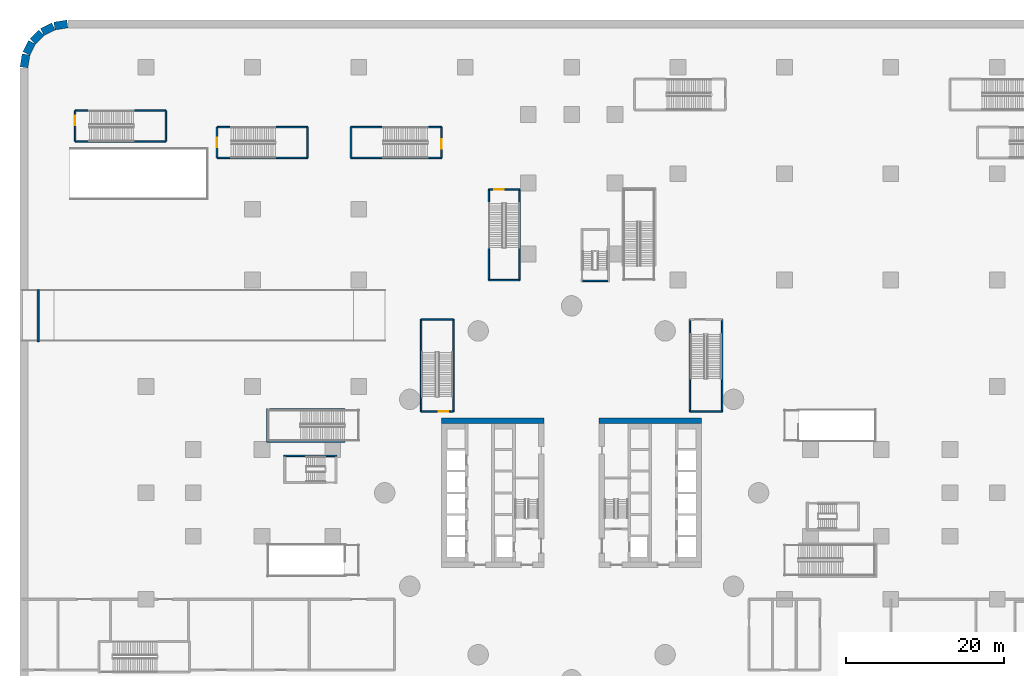
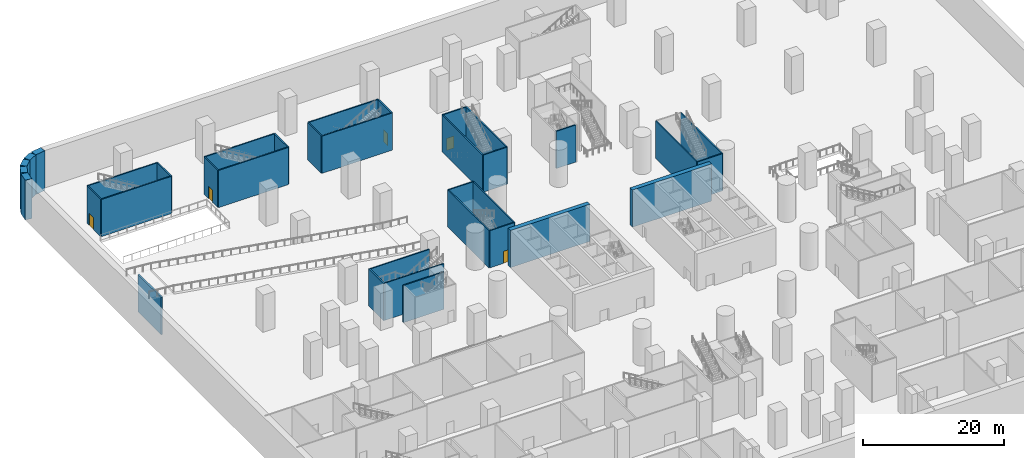
# One storey, part 10 of 37: 36 walls, 5 doors, 5 openings.
"""IFC4 building model written with IfcOpenShell, lengths in metres."""

from ifc_helpers import new_model, si_unit, direction, frame, frame_2d, origin, place, context, subcontext, project, spatial, rectangle, extrude, material, layer, layer_set, type_object, element, fill, save


model = new_model("IFC4")

# Units and contexts
model_context = context("Model", 3, precision=1e-05, world=origin(), true_north=direction((0.0, 1.0)))
body_context = subcontext(model_context, "Body", "Model", "MODEL_VIEW")
ifc_project = project(units=[si_unit("LENGTHUNIT", "METRE"), si_unit("AREAUNIT", "SQUARE_METRE"), si_unit("VOLUMEUNIT", "CUBIC_METRE"), si_unit("PLANEANGLEUNIT", "RADIAN"), si_unit("MASSUNIT", "GRAM", prefix="KILO")], contexts=[model_context])

# Site, building, storey
site_placement = place(None, origin())
site = spatial("IfcSite", under=ifc_project, at=site_placement, CompositionType="ELEMENT")
building_placement = place(site_placement, origin())
building = spatial("IfcBuilding", under=site, at=building_placement, Name="Tamarind Cross Interchange Tower", CompositionType="ELEMENT")
storey_placement = place(building_placement, frame((0.0, 0.0, -7.0)))
storey = spatial("IfcBuildingStorey", under=building, at=storey_placement, Name="B1", CompositionType="ELEMENT", Elevation=-7.0)

# Walls
ifc_material_1 = material(Name="Concrete C40", Category="concrete")
ifc_layer_1 = layer(ifc_material_1, 1.0)
ifc_layer_set_1 = layer_set([ifc_layer_1], Name="Concrete C40")
wall_type_1 = type_object("IfcWallType", Name="Basement wall 1000 Concrete C40", PredefinedType="SOLIDWALL", material=ifc_layer_set_1)
wall_1_placement = place(storey_placement, frame((-69.495361328125, 53.989501953125, -0.449951171875), z_axis=(0.0, 0.0, 1.0), x_axis=(0.156430639922, 0.987688946427, 0.0)))
element("IfcWall", 1, at=wall_1_placement, inside=storey, type_object=wall_type_1, Name="Basement wall B1-8", PredefinedType="SOLIDWALL", context=body_context, shape_type="SweptSolid", body=[
    extrude(rectangle(XDim=1.66064453125, YDim=1.0, at=frame_2d((0.830322265625, 0.0))), origin(), (0.0, 0.0, 1.0), 6.89990234375),
])
for number, where, z_axis, x_axis, name in (
    (2, (-69.193603515625, 55.759033203125, -0.449951171875), (0.0, 0.0, 1.0), (0.453995177443, 0.891004140764, 0.0), "Basement wall B1-9"),
    (3, (-68.395751953125, 57.27783203125, -0.449951171875), (0.0, 0.0, 1.0), (0.707106781187, 0.707106781187, 0.0), "Basement wall B1-10"),
    (4, (-67.167724609375, 58.475830078125, -0.449951171875), (0.0, 0.0, 1.0), (0.891004140764, 0.453995177443, 0.0), "Basement wall B1-11"),
):
    element("IfcWall", number, at=place(storey_placement, frame(where, z_axis=z_axis, x_axis=x_axis)), inside=storey, type_object=wall_type_1, Name=name, PredefinedType="SOLIDWALL", context=body_context, shape_type="SweptSolid", body=[
        extrude(rectangle(XDim=1.5810546875, YDim=1.0, at=frame_2d((0.79052734375, 0.0))), origin(), (0.0, 0.0, 1.0), 6.89990234375),
    ])
wall_2_placement = place(storey_placement, frame((-65.629638671875, 59.235595703125, -0.449951171875), z_axis=(0.0, 0.0, 1.0), x_axis=(0.987688946427, 0.156430639922, 0.0)))
element("IfcWall", 5, at=wall_2_placement, inside=storey, type_object=wall_type_1, Name="Basement wall B1-12", PredefinedType="SOLIDWALL", context=body_context, shape_type="SweptSolid", body=[
    extrude(rectangle(XDim=1.66064453125, YDim=1.0, at=frame_2d((0.830322265625, 0.0))), origin(), (0.0, 0.0, 1.0), 6.89990234375),
])
ifc_material_2 = material(Name="Concrete C80", Category="concrete")
ifc_layer_2 = layer(ifc_material_2, 0.699951171875)
ifc_layer_set_2 = layer_set([ifc_layer_2], Name="Concrete C80")
wall_type_2 = type_object("IfcWallType", Name="Core wall 700 mm Concrete C80", PredefinedType="SHEAR", material=ifc_layer_set_2)
for number, where, z_axis, x_axis, name in (
    (6, (-16.5, 9.14990234375, 0.0), (0.0, 0.0, 1.0), (1.0, 0.0, 0.0), "Core wall CWL-B1-W-NE"),
    (7, (16.5, 9.14990234375, 0.0), (0.0, 0.0, 1.0), (-1.0, 0.0, 0.0), "Core wall CWL-B1-E-NE"),
):
    element("IfcWall", number, at=place(storey_placement, frame(where, z_axis=z_axis, x_axis=x_axis)), inside=storey, type_object=wall_type_2, Name=name, PredefinedType="SHEAR", context=body_context, shape_type="SweptSolid", body=[
        extrude(rectangle(XDim=13.0, YDim=0.699951171875, at=frame_2d((6.5, 0.0))), origin(), (0.0, 0.0, 1.0), 6.449951171875),
    ])
ifc_layer_3 = layer(ifc_material_1, 0.25)
ifc_layer_set_3 = layer_set([ifc_layer_3], Name="Concrete C40")
wall_type_3 = type_object("IfcWallType", Name="Ramp support wall 250", PredefinedType="SOLIDWALL", material=ifc_layer_set_3)
wall_3_placement = place(storey_placement, frame((-67.699951171875, 19.199951171875, 0.0), z_axis=(0.0, 0.0, 1.0), x_axis=(0.0, 1.0, 0.0)))
element("IfcWall", 8, at=wall_3_placement, inside=storey, type_object=wall_type_3, Name="Car park ramp RA support wall", PredefinedType="SOLIDWALL", context=body_context, shape_type="SweptSolid", body=[
    extrude(rectangle(XDim=6.60009765625, YDim=0.25, at=frame_2d((3.300048828125, 0.0))), origin(), (0.0, 0.0, 1.0), 6.4833984375),
])
ifc_layer_4 = layer(ifc_material_1, 0.199951171875)
ifc_layer_set_4 = layer_set([ifc_layer_4], Name="Concrete C40")
wall_type_4 = type_object("IfcWallType", Name="Stair shaft wall 200", PredefinedType="SOLIDWALL", material=ifc_layer_set_4)
for number, where, z_axis, x_axis, name in (
    (9, (-28.800048828125, 10.60009765625, 0.0), (0.0, 0.0, 1.0), (-1.0, 0.0, 0.0), "public stair PS-W shaft wall L"),
    (10, (-28.800048828125, 6.5, 0.0), (0.0, 0.0, 1.0), (-1.0, 0.0, 0.0), "public stair PS-W shaft wall R"),
):
    element("IfcWall", number, at=place(storey_placement, frame(where, z_axis=z_axis, x_axis=x_axis)), inside=storey, type_object=wall_type_4, Name=name, PredefinedType="SOLIDWALL", context=body_context, shape_type="SweptSolid", body=[
        extrude(rectangle(XDim=9.699951171875, YDim=0.199951171875, at=frame_2d((4.85009765625, 0.0))), origin(), (0.0, 0.0, 1.0), 6.449951171875),
    ])
wall_4_placement = place(storey_placement, frame((-38.60009765625, 10.699951171875, 0.0), z_axis=(0.0, 0.0, 1.0), x_axis=(0.0, -1.0, 0.0)))
element("IfcWall", 11, at=wall_4_placement, inside=storey, type_object=wall_type_4, Name="public stair PS-W shaft wall F", PredefinedType="SOLIDWALL", context=body_context, shape_type="SweptSolid", body=[
    extrude(rectangle(XDim=4.300048828125, YDim=0.199951171875, at=frame_2d((2.14990234375, 0.0))), origin(), (0.0, 0.0, 1.0), 6.449951171875),
])
ifc_layer_5 = layer(ifc_material_1, 0.199951171875)
ifc_layer_set_5 = layer_set([ifc_layer_5], Name="Concrete C40")
wall_type_5 = type_object("IfcWallType", Name="Stair shaft wall 200 EI 180", PredefinedType="PARTITIONING", material=ifc_layer_set_5)
wall_5_placement = place(storey_placement, frame((-63.0, 48.5, 0.0), z_axis=(0.0, 0.0, 1.0), x_axis=(1.0, 0.0, 0.0)))
element("IfcWall", 12, at=wall_5_placement, inside=storey, type_object=wall_type_5, Name="B1 stair shaft wall 1", PredefinedType="PARTITIONING", context=body_context, shape_type="SweptSolid", body=[
    extrude(rectangle(XDim=11.5, YDim=0.199951171875, at=frame_2d((5.75, 0.0))), origin(), (0.0, 0.0, 1.0), 6.449951171875),
])
wall_6_placement = place(storey_placement, frame((-51.5, 44.60009765625, 0.0), z_axis=(0.0, 0.0, 1.0), x_axis=(0.0, 1.0, 0.0)))
element("IfcWall", 13, at=wall_6_placement, inside=storey, type_object=wall_type_5, Name="B1 stair shaft wall 2", PredefinedType="PARTITIONING", context=body_context, shape_type="SweptSolid", body=[
    extrude(rectangle(XDim=3.89990234375, YDim=0.199951171875, at=frame_2d((1.949951171875, 0.0))), origin(), (0.0, 0.0, 1.0), 6.449951171875),
])
wall_7_placement = place(storey_placement, frame((-63.0, 44.60009765625, 0.0), z_axis=(0.0, 0.0, 1.0), x_axis=(1.0, 0.0, 0.0)))
element("IfcWall", 14, at=wall_7_placement, inside=storey, type_object=wall_type_5, Name="B1 stair shaft wall 3", PredefinedType="PARTITIONING", context=body_context, shape_type="SweptSolid", body=[
    extrude(rectangle(XDim=11.5, YDim=0.199951171875, at=frame_2d((5.75, 0.0))), origin(), (0.0, 0.0, 1.0), 6.449951171875),
])

# Wall, opening, door
wall_8_placement = place(storey_placement, frame((-63.0, 44.60009765625, 0.0), z_axis=(0.0, 0.0, 1.0), x_axis=(0.0, 1.0, 0.0)))
wall_8 = element("IfcWall", 15, at=wall_8_placement, inside=storey, type_object=wall_type_5, Name="B1 stair shaft wall 4", PredefinedType="PARTITIONING", context=body_context, shape_type="SweptSolid", body=[
    extrude(rectangle(XDim=3.89990234375, YDim=0.199951171875, at=frame_2d((1.949951171875, 0.0))), origin(), (0.0, 0.0, 1.0), 6.449951171875),
])
opening_1_placement = place(wall_8_placement, frame((2.0400390625, 0.0, 0.0)))
opening_1 = element("IfcOpeningElement", 16, at=opening_1_placement, cuts=wall_8, Name="Opening DB1-07", PredefinedType="OPENING", context=body_context, shape_type="SweptSolid", body=[
    extrude(rectangle(XDim=1.199951171875, YDim=2.10009765625, at=frame_2d((0.60009765625, 1.050048828125))), frame((0.0, 0.10986328125, 0.0), z_axis=(0.0, -1.0, 0.0), x_axis=(1.0, 0.0, 0.0)), (0.0, 0.0, 1.0), 0.219970703125),
])
ifc_material_3 = material(Name="Steel, fire-resisting", Category="steel")
door_type = type_object("IfcDoorType", Name="Podium door 1200 x 2100 FD90", OperationType="SINGLE_SWING_LEFT", PredefinedType="DOOR", material=ifc_material_3)
door_1_placement = place(opening_1_placement, origin())
door_1 = element("IfcDoor", 17, at=door_1_placement, inside=storey, type_object=door_type, Name="B1 door Exit Stair PX5", OperationType="SINGLE_SWING_LEFT", OverallHeight=2.10009765625, OverallWidth=1.199951171875, PredefinedType="DOOR", context=body_context, shape_type="SweptSolid", body=[
    extrude(rectangle(XDim=1.199951171875, YDim=2.10009765625, at=frame_2d((0.60009765625, 1.050048828125))), frame((0.0, 0.02490234375, 0.0), z_axis=(0.0, -1.0, 0.0), x_axis=(1.0, 0.0, 0.0)), (0.0, 0.0, 1.0), 0.050048828125),
])
fill(opening_1, door_1)

# Walls
wall_9_placement = place(storey_placement, frame((-45.0, 46.39990234375, 0.0), z_axis=(0.0, 0.0, 1.0), x_axis=(1.0, 0.0, 0.0)))
element("IfcWall", 18, at=wall_9_placement, inside=storey, type_object=wall_type_5, Name="B1 stair shaft wall 13", PredefinedType="PARTITIONING", context=body_context, shape_type="SweptSolid", body=[
    extrude(rectangle(XDim=11.5, YDim=0.199951171875, at=frame_2d((5.75, 0.0))), origin(), (0.0, 0.0, 1.0), 6.449951171875),
])
wall_10_placement = place(storey_placement, frame((-33.5, 42.5, 0.0), z_axis=(0.0, 0.0, 1.0), x_axis=(0.0, 1.0, 0.0)))
element("IfcWall", 19, at=wall_10_placement, inside=storey, type_object=wall_type_5, Name="B1 stair shaft wall 14", PredefinedType="PARTITIONING", context=body_context, shape_type="SweptSolid", body=[
    extrude(rectangle(XDim=3.89990234375, YDim=0.199951171875, at=frame_2d((1.949951171875, 0.0))), origin(), (0.0, 0.0, 1.0), 6.449951171875),
])
wall_11_placement = place(storey_placement, frame((-45.0, 42.5, 0.0), z_axis=(0.0, 0.0, 1.0), x_axis=(1.0, 0.0, 0.0)))
element("IfcWall", 20, at=wall_11_placement, inside=storey, type_object=wall_type_5, Name="B1 stair shaft wall 15", PredefinedType="PARTITIONING", context=body_context, shape_type="SweptSolid", body=[
    extrude(rectangle(XDim=11.5, YDim=0.199951171875, at=frame_2d((5.75, 0.0))), origin(), (0.0, 0.0, 1.0), 6.449951171875),
])

# Wall, opening, door
wall_12_placement = place(storey_placement, frame((-45.0, 42.5, 0.0), z_axis=(0.0, 0.0, 1.0), x_axis=(0.0, 1.0, 0.0)))
wall_12 = element("IfcWall", 21, at=wall_12_placement, inside=storey, type_object=wall_type_5, Name="B1 stair shaft wall 16", PredefinedType="PARTITIONING", context=body_context, shape_type="SweptSolid", body=[
    extrude(rectangle(XDim=3.89990234375, YDim=0.199951171875, at=frame_2d((1.949951171875, 0.0))), origin(), (0.0, 0.0, 1.0), 6.449951171875),
])
opening_2_placement = place(wall_12_placement, frame((1.384033203125, 0.0, 0.0)))
opening_2 = element("IfcOpeningElement", 22, at=opening_2_placement, cuts=wall_12, Name="Opening DB1-06", PredefinedType="OPENING", context=body_context, shape_type="SweptSolid", body=[
    extrude(rectangle(XDim=1.199951171875, YDim=2.10009765625, at=frame_2d((0.60009765625, 1.050048828125))), frame((0.0, 0.10986328125, 0.0), z_axis=(0.0, -1.0, 0.0), x_axis=(1.0, 0.0, 0.0)), (0.0, 0.0, 1.0), 0.219970703125),
])
door_2_placement = place(opening_2_placement, origin())
door_2 = element("IfcDoor", 23, at=door_2_placement, inside=storey, type_object=door_type, Name="B1 door Exit Stair PX4", OperationType="SINGLE_SWING_RIGHT", OverallHeight=2.10009765625, OverallWidth=1.199951171875, PredefinedType="DOOR", context=body_context, shape_type="SweptSolid", body=[
    extrude(rectangle(XDim=1.199951171875, YDim=2.10009765625, at=frame_2d((0.60009765625, 1.050048828125))), frame((0.0, 0.02490234375, 0.0), z_axis=(0.0, -1.0, 0.0), x_axis=(1.0, 0.0, 0.0)), (0.0, 0.0, 1.0), 0.050048828125),
])
fill(opening_2, door_2)

# Walls
wall_13_placement = place(storey_placement, frame((-19.10009765625, 10.300048828125, 0.0), z_axis=(0.0, 0.0, 1.0), x_axis=(0.0, 1.0, 0.0)))
element("IfcWall", 24, at=wall_13_placement, inside=storey, type_object=wall_type_5, Name="B1 stair shaft wall 21", PredefinedType="PARTITIONING", context=body_context, shape_type="SweptSolid", body=[
    extrude(rectangle(XDim=11.699951171875, YDim=0.199951171875, at=frame_2d((5.85009765625, 0.0))), origin(), (0.0, 0.0, 1.0), 6.449951171875),
])
wall_14_placement = place(storey_placement, frame((-19.10009765625, 22.0, 0.0), z_axis=(0.0, 0.0, 1.0), x_axis=(1.0, 0.0, 0.0)))
element("IfcWall", 25, at=wall_14_placement, inside=storey, type_object=wall_type_5, Name="B1 stair shaft wall 22", PredefinedType="PARTITIONING", context=body_context, shape_type="SweptSolid", body=[
    extrude(rectangle(XDim=4.10009765625, YDim=0.199951171875, at=frame_2d((2.050048828125, 0.0))), origin(), (0.0, 0.0, 1.0), 6.449951171875),
])
wall_15_placement = place(storey_placement, frame((-15.0, 10.300048828125, 0.0), z_axis=(0.0, 0.0, 1.0), x_axis=(0.0, 1.0, 0.0)))
element("IfcWall", 26, at=wall_15_placement, inside=storey, type_object=wall_type_5, Name="B1 stair shaft wall 23", PredefinedType="PARTITIONING", context=body_context, shape_type="SweptSolid", body=[
    extrude(rectangle(XDim=11.699951171875, YDim=0.199951171875, at=frame_2d((5.85009765625, 0.0))), origin(), (0.0, 0.0, 1.0), 6.449951171875),
])

# Wall, opening, door
wall_16_placement = place(storey_placement, frame((-19.10009765625, 10.300048828125, 0.0), z_axis=(0.0, 0.0, 1.0), x_axis=(1.0, 0.0, 0.0)))
wall_16 = element("IfcWall", 27, at=wall_16_placement, inside=storey, type_object=wall_type_5, Name="B1 stair shaft wall 24", PredefinedType="PARTITIONING", context=body_context, shape_type="SweptSolid", body=[
    extrude(rectangle(XDim=4.10009765625, YDim=0.199951171875, at=frame_2d((2.050048828125, 0.0))), origin(), (0.0, 0.0, 1.0), 6.449951171875),
])
opening_3_placement = place(wall_16_placement, frame((2.25, 0.0, 0.0)))
opening_3 = element("IfcOpeningElement", 28, at=opening_3_placement, cuts=wall_16, Name="Opening DB1-01", PredefinedType="OPENING", context=body_context, shape_type="SweptSolid", body=[
    extrude(rectangle(XDim=1.199951171875, YDim=2.10009765625, at=frame_2d((0.60009765625, 1.050048828125))), frame((0.0, 0.10986328125, 0.0), z_axis=(0.0, -1.0, 0.0), x_axis=(1.0, 0.0, 0.0)), (0.0, 0.0, 1.0), 0.219970703125),
])
door_3_placement = place(opening_3_placement, origin())
door_3 = element("IfcDoor", 29, at=door_3_placement, inside=storey, type_object=door_type, Name="B1 door Car Park Exit Stair West", OperationType="SINGLE_SWING_LEFT", OverallHeight=2.10009765625, OverallWidth=1.199951171875, PredefinedType="DOOR", context=body_context, shape_type="SweptSolid", body=[
    extrude(rectangle(XDim=1.199951171875, YDim=2.10009765625, at=frame_2d((0.60009765625, 1.050048828125))), frame((0.0, 0.02490234375, 0.0), z_axis=(0.0, -1.0, 0.0), x_axis=(1.0, 0.0, 0.0)), (0.0, 0.0, 1.0), 0.050048828125),
])
fill(opening_3, door_3)

# Walls
wall_17_placement = place(storey_placement, frame((-28.0, 42.5, 0.0), z_axis=(0.0, 0.0, 1.0), x_axis=(1.0, 0.0, 0.0)))
element("IfcWall", 30, at=wall_17_placement, inside=storey, type_object=wall_type_5, Name="B1 stair shaft wall 25", PredefinedType="PARTITIONING", context=body_context, shape_type="SweptSolid", body=[
    extrude(rectangle(XDim=11.5, YDim=0.199951171875, at=frame_2d((5.75, 0.0))), origin(), (0.0, 0.0, 1.0), 6.449951171875),
])
wall_18_placement = place(storey_placement, frame((-28.0, 42.5, 0.0), z_axis=(0.0, 0.0, 1.0), x_axis=(0.0, 1.0, 0.0)))
element("IfcWall", 31, at=wall_18_placement, inside=storey, type_object=wall_type_5, Name="B1 stair shaft wall 26", PredefinedType="PARTITIONING", context=body_context, shape_type="SweptSolid", body=[
    extrude(rectangle(XDim=3.89990234375, YDim=0.199951171875, at=frame_2d((1.949951171875, 0.0))), origin(), (0.0, 0.0, 1.0), 6.449951171875),
])
wall_19_placement = place(storey_placement, frame((-28.0, 46.39990234375, 0.0), z_axis=(0.0, 0.0, 1.0), x_axis=(1.0, 0.0, 0.0)))
element("IfcWall", 32, at=wall_19_placement, inside=storey, type_object=wall_type_5, Name="B1 stair shaft wall 27", PredefinedType="PARTITIONING", context=body_context, shape_type="SweptSolid", body=[
    extrude(rectangle(XDim=11.5, YDim=0.199951171875, at=frame_2d((5.75, 0.0))), origin(), (0.0, 0.0, 1.0), 6.449951171875),
])

# Wall, opening, door
wall_20_placement = place(storey_placement, frame((-16.5, 42.5, 0.0), z_axis=(0.0, 0.0, 1.0), x_axis=(0.0, 1.0, 0.0)))
wall_20 = element("IfcWall", 33, at=wall_20_placement, inside=storey, type_object=wall_type_5, Name="B1 stair shaft wall 28", PredefinedType="PARTITIONING", context=body_context, shape_type="SweptSolid", body=[
    extrude(rectangle(XDim=3.89990234375, YDim=0.199951171875, at=frame_2d((1.949951171875, 0.0))), origin(), (0.0, 0.0, 1.0), 6.449951171875),
])
opening_4_placement = place(wall_20_placement, frame((1.159912109375, 0.0, 0.0)))
opening_4 = element("IfcOpeningElement", 34, at=opening_4_placement, cuts=wall_20, Name="Opening DB1-08", PredefinedType="OPENING", context=body_context, shape_type="SweptSolid", body=[
    extrude(rectangle(XDim=1.199951171875, YDim=2.10009765625, at=frame_2d((0.60009765625, 1.050048828125))), frame((0.0, 0.10986328125, 0.0), z_axis=(0.0, -1.0, 0.0), x_axis=(1.0, 0.0, 0.0)), (0.0, 0.0, 1.0), 0.219970703125),
])
door_4_placement = place(opening_4_placement, origin())
door_4 = element("IfcDoor", 35, at=door_4_placement, inside=storey, type_object=door_type, Name="B1 door Exit Stair PX6", OperationType="SINGLE_SWING_RIGHT", OverallHeight=2.10009765625, OverallWidth=1.199951171875, PredefinedType="DOOR", context=body_context, shape_type="SweptSolid", body=[
    extrude(rectangle(XDim=1.199951171875, YDim=2.10009765625, at=frame_2d((0.60009765625, 1.050048828125))), frame((0.0, 0.02490234375, 0.0), z_axis=(0.0, -1.0, 0.0), x_axis=(1.0, 0.0, 0.0)), (0.0, 0.0, 1.0), 0.050048828125),
])
fill(opening_4, door_4)

# Walls
wall_21_placement = place(storey_placement, frame((-6.60009765625, 27.0, 0.0), z_axis=(0.0, 0.0, 1.0), x_axis=(0.0, 1.0, 0.0)))
element("IfcWall", 36, at=wall_21_placement, inside=storey, type_object=wall_type_5, Name="B1 stair shaft wall 29", PredefinedType="PARTITIONING", context=body_context, shape_type="SweptSolid", body=[
    extrude(rectangle(XDim=11.5, YDim=0.199951171875, at=frame_2d((5.75, 0.0))), origin(), (0.0, 0.0, 1.0), 6.449951171875),
])
wall_22_placement = place(storey_placement, frame((-10.5, 27.0, 0.0), z_axis=(0.0, 0.0, 1.0), x_axis=(1.0, 0.0, 0.0)))
element("IfcWall", 37, at=wall_22_placement, inside=storey, type_object=wall_type_5, Name="B1 stair shaft wall 30", PredefinedType="PARTITIONING", context=body_context, shape_type="SweptSolid", body=[
    extrude(rectangle(XDim=3.89990234375, YDim=0.199951171875, at=frame_2d((1.949951171875, 0.0))), origin(), (0.0, 0.0, 1.0), 6.449951171875),
])
wall_23_placement = place(storey_placement, frame((-10.5, 27.0, 0.0), z_axis=(0.0, 0.0, 1.0), x_axis=(0.0, 1.0, 0.0)))
element("IfcWall", 38, at=wall_23_placement, inside=storey, type_object=wall_type_5, Name="B1 stair shaft wall 31", PredefinedType="PARTITIONING", context=body_context, shape_type="SweptSolid", body=[
    extrude(rectangle(XDim=11.5, YDim=0.199951171875, at=frame_2d((5.75, 0.0))), origin(), (0.0, 0.0, 1.0), 6.449951171875),
])

# Wall, opening, door
wall_24_placement = place(storey_placement, frame((-10.5, 38.5, 0.0), z_axis=(0.0, 0.0, 1.0), x_axis=(1.0, 0.0, 0.0)))
wall_24 = element("IfcWall", 39, at=wall_24_placement, inside=storey, type_object=wall_type_5, Name="B1 stair shaft wall 32", PredefinedType="PARTITIONING", context=body_context, shape_type="SweptSolid", body=[
    extrude(rectangle(XDim=3.89990234375, YDim=0.199951171875, at=frame_2d((1.949951171875, 0.0))), origin(), (0.0, 0.0, 1.0), 6.449951171875),
])
opening_5_placement = place(wall_24_placement, frame((0.656005859375, 0.0, 0.0)))
opening_5 = element("IfcOpeningElement", 40, at=opening_5_placement, cuts=wall_24, Name="Opening DB1-15", PredefinedType="OPENING", context=body_context, shape_type="SweptSolid", body=[
    extrude(rectangle(XDim=1.199951171875, YDim=2.10009765625, at=frame_2d((0.60009765625, 1.050048828125))), frame((0.0, 0.10986328125, 0.0), z_axis=(0.0, -1.0, 0.0), x_axis=(1.0, 0.0, 0.0)), (0.0, 0.0, 1.0), 0.219970703125),
])
door_5_placement = place(opening_5_placement, origin())
door_5 = element("IfcDoor", 41, at=door_5_placement, inside=storey, type_object=door_type, Name="B1 door Exit Stair PX13", OperationType="SINGLE_SWING_LEFT", OverallHeight=2.10009765625, OverallWidth=1.199951171875, PredefinedType="DOOR", context=body_context, shape_type="SweptSolid", body=[
    extrude(rectangle(XDim=1.199951171875, YDim=2.10009765625, at=frame_2d((0.60009765625, 1.050048828125))), frame((0.0, 0.02490234375, 0.0), z_axis=(0.0, -1.0, 0.0), x_axis=(1.0, 0.0, 0.0)), (0.0, 0.0, 1.0), 0.050048828125),
])
fill(opening_5, door_5)

# Walls
for number, where, z_axis, x_axis, name in (
    (42, (15.0, 10.300048828125, 0.0), (0.0, 0.0, 1.0), (0.0, 1.0, 0.0), "B1 stair shaft wall 37"),
    (43, (19.10009765625, 10.300048828125, 0.0), (0.0, 0.0, 1.0), (0.0, 1.0, 0.0), "B1 stair shaft wall 39"),
):
    element("IfcWall", number, at=place(storey_placement, frame(where, z_axis=z_axis, x_axis=x_axis)), inside=storey, type_object=wall_type_5, Name=name, PredefinedType="PARTITIONING", context=body_context, shape_type="SweptSolid", body=[
        extrude(rectangle(XDim=11.699951171875, YDim=0.199951171875, at=frame_2d((5.85009765625, 0.0))), origin(), (0.0, 0.0, 1.0), 6.449951171875),
    ])
wall_25_placement = place(storey_placement, frame((15.0, 10.300048828125, 0.0), z_axis=(0.0, 0.0, 1.0), x_axis=(1.0, 0.0, 0.0)))
element("IfcWall", 44, at=wall_25_placement, inside=storey, type_object=wall_type_5, Name="B1 stair shaft wall 40", PredefinedType="PARTITIONING", context=body_context, shape_type="SweptSolid", body=[
    extrude(rectangle(XDim=4.10009765625, YDim=0.199951171875, at=frame_2d((2.050048828125, 0.0))), origin(), (0.0, 0.0, 1.0), 6.449951171875),
])
ifc_layer_6 = layer(ifc_material_1, 0.199951171875)
ifc_layer_set_6 = layer_set([ifc_layer_6], Name="Concrete C40")
wall_type_6 = type_object("IfcWallType", Name="Stair shaft wall 200 mm Concrete C40", PredefinedType="SHEAR", material=ifc_layer_set_6)
wall_26_placement = place(storey_placement, frame((4.60009765625, 26.89990234375, 0.0), z_axis=(0.0, 0.0, 1.0), x_axis=(-1.0, 0.0, 0.0)))
element("IfcWall", 45, at=wall_26_placement, inside=storey, type_object=wall_type_6, Name="Core wall CWL-B1-ST4-CE", PredefinedType="SHEAR", context=body_context, shape_type="SweptSolid", body=[
    extrude(rectangle(XDim=3.2001953125, YDim=0.199951171875, at=frame_2d((1.60009765625, 0.0))), origin(), (0.0, 0.0, 1.0), 6.449951171875),
])
wall_27_placement = place(storey_placement, frame((-29.800048828125, 4.699951171875, 0.0), z_axis=(0.0, 0.0, 1.0), x_axis=(-1.0, 0.0, 0.0)))
element("IfcWall", 46, at=wall_27_placement, inside=storey, type_object=wall_type_6, Name="Core wall CWL-B1-ST5-C", PredefinedType="SHEAR", context=body_context, shape_type="SweptSolid", body=[
    extrude(rectangle(XDim=6.699951171875, YDim=0.199951171875, at=frame_2d((3.35009765625, 0.0))), origin(), (0.0, 0.0, 1.0), 6.449951171875),
])

save(model, "model.ifc")
